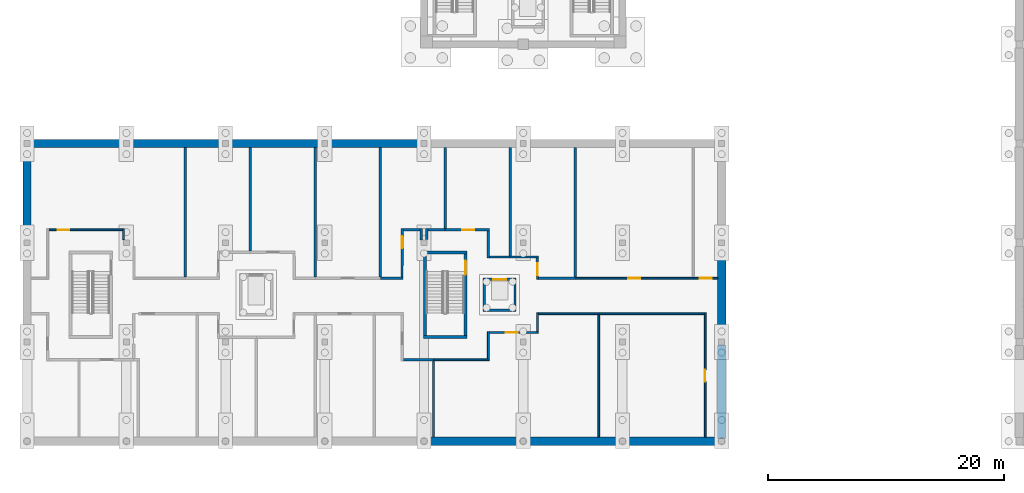
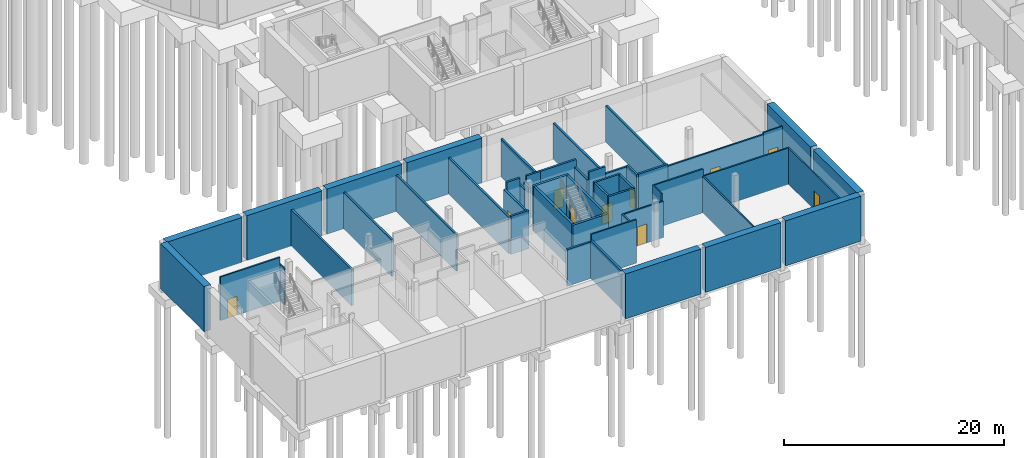
# One storey, part 10 of 33: 51 walls, 10 doors, 10 openings.
"""IFC4 building model written with IfcOpenShell, lengths in metres."""

from ifc_helpers import new_model, si_unit, direction, frame, frame_2d, origin, place, context, subcontext, project, spatial, rectangle, extrude, material, layer, layer_set, type_object, element, fill, save


model = new_model("IFC4")

# Units and contexts
model_context = context("Model", 3, precision=1e-05, world=origin(), true_north=direction((0.0, 1.0)))
body_context = subcontext(model_context, "Body", "Model", "MODEL_VIEW")
ifc_project = project(units=[si_unit("LENGTHUNIT", "METRE"), si_unit("AREAUNIT", "SQUARE_METRE"), si_unit("VOLUMEUNIT", "CUBIC_METRE"), si_unit("PLANEANGLEUNIT", "RADIAN"), si_unit("MASSUNIT", "GRAM", prefix="KILO")], contexts=[model_context])

# Site, building, storey
site_placement = place(None, origin())
site = spatial("IfcSite", under=ifc_project, at=site_placement, CompositionType="ELEMENT")
building_placement = place(site_placement, origin())
building = spatial("IfcBuilding", under=site, at=building_placement, Name="Larchfold Concert Hall", CompositionType="ELEMENT")
storey_placement = place(building_placement, frame((0.0, 0.0, -5.0)))
storey = spatial("IfcBuildingStorey", under=building, at=storey_placement, Name="B1", CompositionType="ELEMENT", Elevation=-5.0)

# Walls
ifc_material_1 = material(Name="Plasterboard partition on steel studs", Category="steel")
ifc_layer_1 = layer(ifc_material_1, 0.199951171875)
ifc_layer_set_1 = layer_set([ifc_layer_1], Name="Plasterboard partition on steel studs")
wall_type_1 = type_object("IfcWallType", Name="Acoustic partition 200", PredefinedType="PARTITIONING", material=ifc_layer_set_1)
wall_1_placement = place(storey_placement, frame((35.0, 7.39990234375, 0.0), z_axis=(0.0, 0.0, 1.0), x_axis=(0.0, -1.0, 0.0)))
element("IfcWall", 1, at=wall_1_placement, inside=storey, type_object=wall_type_1, Name="Partition IW0089", PredefinedType="PARTITIONING", context=body_context, shape_type="SweptSolid", body=[
    extrude(rectangle(XDim=6.449951171875, YDim=0.199951171875, at=frame_2d((3.22509765625, 0.0))), origin(), (0.0, 0.0, 1.0), 4.239990234375),
])
wall_2_placement = place(storey_placement, frame((32.449951171875, 7.5, 0.0), z_axis=(0.0, 0.0, 1.0), x_axis=(1.0, 0.0, 0.0)))
element("IfcWall", 2, at=wall_2_placement, inside=storey, type_object=wall_type_1, Name="Partition IW0092", PredefinedType="PARTITIONING", context=body_context, shape_type="SweptSolid", body=[
    extrude(rectangle(XDim=2.550048828125, YDim=0.199951171875, at=frame_2d((1.27490234375, 0.0))), origin(), (0.0, 0.0, 1.0), 4.0400390625),
])
wall_3_placement = place(storey_placement, frame((41.47998046875, 16.199951171875, 0.0), z_axis=(0.0, 0.0, 1.0), x_axis=(0.999999918507, -0.000403714137, 0.0)))
element("IfcWall", 3, at=wall_3_placement, inside=storey, type_object=wall_type_1, Name="Partition IW0122", PredefinedType="PARTITIONING", context=body_context, shape_type="SweptSolid", body=[
    extrude(rectangle(XDim=2.4189453125, YDim=0.199951171875, at=frame_2d((1.20947265625, 0.0))), origin(), (0.0, 0.0, 1.0), 4.0400390625),
])

# Wall, opening, door
wall_4_placement = place(storey_placement, frame((43.799560546875, 16.09912109375, 0.0), z_axis=(0.0, 0.0, 1.0), x_axis=(0.005560744079, -0.999984538943, 0.0)))
wall_4 = element("IfcWall", 4, at=wall_4_placement, inside=storey, type_object=wall_type_1, Name="Partition IW0123", PredefinedType="PARTITIONING", context=body_context, shape_type="SweptSolid", body=[
    extrude(rectangle(XDim=1.800048828125, YDim=0.199951171875, at=frame_2d((0.89990234375, 0.0))), origin(), (0.0, 0.0, 1.0), 4.239990234375),
])
opening_1_placement = place(wall_4_placement, frame((0.438720703125, 0.0, 0.0)))
opening_1 = element("IfcOpeningElement", 5, at=opening_1_placement, cuts=wall_4, Name="Opening D-B1-140", PredefinedType="OPENING", context=body_context, shape_type="SweptSolid", body=[
    extrude(rectangle(XDim=1.0, YDim=2.10009765625, at=frame_2d((0.5, 1.050048828125))), frame((0.0, 0.10986328125, 0.0), z_axis=(0.0, -1.0, 0.0), x_axis=(1.0, 0.0, 0.0)), (0.0, 0.0, 1.0), 0.219970703125),
])
ifc_material_2 = material(Name="Timber door leaf", Category="wood")
door_type_1 = type_object("IfcDoorType", Name="Practice and studio door, acoustic 1000 x 2100 FD30S", OperationType="SINGLE_SWING_LEFT", PredefinedType="DOOR", material=ifc_material_2)
door_1_placement = place(opening_1_placement, origin())
door_1 = element("IfcDoor", 6, at=door_1_placement, inside=storey, type_object=door_type_1, Name="Door D-B1-140", OperationType="SINGLE_SWING_LEFT", OverallHeight=2.10009765625, OverallWidth=1.0, PredefinedType="DOOR", context=body_context, shape_type="SweptSolid", body=[
    extrude(rectangle(XDim=1.0, YDim=2.10009765625, at=frame_2d((0.5, 1.050048828125))), frame((0.0, 0.02490234375, 0.0), z_axis=(0.0, -1.0, 0.0), x_axis=(1.0, 0.0, 0.0)), (0.0, 0.0, 1.0), 0.050048828125),
])
fill(opening_1, door_1)

# Wall
wall_5_placement = place(storey_placement, frame((43.908935546875, 14.39892578125, 0.0), z_axis=(0.0, 0.0, 1.0), x_axis=(1.0, 0.0, 0.0)))
element("IfcWall", 7, at=wall_5_placement, inside=storey, type_object=wall_type_1, Name="Partition IW0124", PredefinedType="PARTITIONING", context=body_context, shape_type="SweptSolid", body=[
    extrude(rectangle(XDim=3.111083984375, YDim=0.199951171875, at=frame_2d((1.5556640625, 0.0))), origin(), (0.0, 0.0, 1.0), 4.239990234375),
])

# Wall, opening, door
wall_6_placement = place(storey_placement, frame((35.97998046875, 18.4990234375, 0.0), z_axis=(0.0, 0.0, 1.0), x_axis=(1.0, 0.0, 0.0)))
wall_6 = element("IfcWall", 8, at=wall_6_placement, inside=storey, type_object=wall_type_1, Name="Partition IW0126", PredefinedType="PARTITIONING", context=body_context, shape_type="SweptSolid", body=[
    extrude(rectangle(XDim=3.76904296875, YDim=0.199951171875, at=frame_2d((1.884521484375, 0.0))), origin(), (0.0, 0.0, 1.0), 4.840087890625),
])
opening_2_placement = place(wall_6_placement, frame((1.455810546875, 0.0, 0.0)))
opening_2 = element("IfcOpeningElement", 9, at=opening_2_placement, cuts=wall_6, Name="Opening D-B1-142", PredefinedType="OPENING", context=body_context, shape_type="SweptSolid", body=[
    extrude(rectangle(XDim=1.0, YDim=2.10009765625, at=frame_2d((0.5, 1.050048828125))), frame((0.0, 0.10986328125, 0.0), z_axis=(0.0, -1.0, 0.0), x_axis=(1.0, 0.0, 0.0)), (0.0, 0.0, 1.0), 0.219970703125),
])
door_2_placement = place(opening_2_placement, origin())
door_2 = element("IfcDoor", 10, at=door_2_placement, inside=storey, type_object=door_type_1, Name="Door D-B1-142", OperationType="SINGLE_SWING_RIGHT", OverallHeight=2.10009765625, OverallWidth=1.0, PredefinedType="DOOR", context=body_context, shape_type="SweptSolid", body=[
    extrude(rectangle(XDim=1.0, YDim=2.10009765625, at=frame_2d((0.5, 1.050048828125))), frame((0.0, 0.02490234375, 0.0), z_axis=(0.0, -1.0, 0.0), x_axis=(1.0, 0.0, 0.0)), (0.0, 0.0, 1.0), 0.050048828125),
])
fill(opening_2, door_2)

# Walls
wall_7_placement = place(storey_placement, frame((39.649169921875, 18.39892578125, 0.0), z_axis=(0.0, 0.0, 1.0), x_axis=(0.001699955045, -0.999998555075, 0.0)))
element("IfcWall", 11, at=wall_7_placement, inside=storey, type_object=wall_type_1, Name="Partition IW0127", PredefinedType="PARTITIONING", context=body_context, shape_type="SweptSolid", body=[
    extrude(rectangle(XDim=2.2978515625, YDim=0.199951171875, at=frame_2d((1.14892578125, 0.0))), origin(), (0.0, 0.0, 1.0), 4.0400390625),
])
wall_8_placement = place(storey_placement, frame((39.7529296875, 16.200927734375, 0.0), z_axis=(0.0, 0.0, 1.0), x_axis=(0.999999840133, -0.000565450857, 0.0)))
element("IfcWall", 12, at=wall_8_placement, inside=storey, type_object=wall_type_1, Name="Partition IW0128", PredefinedType="PARTITIONING", context=body_context, shape_type="SweptSolid", body=[
    extrude(rectangle(XDim=1.72705078125, YDim=0.199951171875, at=frame_2d((0.863525390625, 0.0))), origin(), (0.0, 0.0, 1.0), 4.840087890625),
])
wall_9_placement = place(storey_placement, frame((30.52001953125, 14.39892578125, 0.0), z_axis=(0.0, 0.0, 1.0), x_axis=(1.0, 0.0, 0.0)))
element("IfcWall", 13, at=wall_9_placement, inside=storey, type_object=wall_type_1, Name="Partition IW0132", PredefinedType="PARTITIONING", context=body_context, shape_type="SweptSolid", body=[
    extrude(rectangle(XDim=1.9208984375, YDim=0.199951171875, at=frame_2d((0.96044921875, 0.0))), origin(), (0.0, 0.0, 1.0), 4.239990234375),
])

# Wall, opening, door
wall_10_placement = place(storey_placement, frame((32.34130859375, 14.4990234375, 0.0), z_axis=(0.0, 0.0, 1.0), x_axis=(0.002441340825, 0.999997019923, 0.0)))
wall_10 = element("IfcWall", 14, at=wall_10_placement, inside=storey, type_object=wall_type_1, Name="Partition IW0133", PredefinedType="PARTITIONING", context=body_context, shape_type="SweptSolid", body=[
    extrude(rectangle(XDim=4.10009765625, YDim=0.199951171875, at=frame_2d((2.050048828125, 0.0))), origin(), (0.0, 0.0, 1.0), 4.0400390625),
])
opening_3_placement = place(wall_10_placement, frame((2.452392578125, 0.0, 0.0)))
opening_3 = element("IfcOpeningElement", 15, at=opening_3_placement, cuts=wall_10, Name="Opening D-B1-144", PredefinedType="OPENING", context=body_context, shape_type="SweptSolid", body=[
    extrude(rectangle(XDim=1.0, YDim=2.10009765625, at=frame_2d((0.5, 1.050048828125))), frame((0.0, 0.10986328125, 0.0), z_axis=(0.0, -1.0, 0.0), x_axis=(1.0, 0.0, 0.0)), (0.0, 0.0, 1.0), 0.219970703125),
])
door_3_placement = place(opening_3_placement, origin())
door_3 = element("IfcDoor", 16, at=door_3_placement, inside=storey, type_object=door_type_1, Name="Door D-B1-144", OperationType="SINGLE_SWING_LEFT", OverallHeight=2.10009765625, OverallWidth=1.0, PredefinedType="DOOR", context=body_context, shape_type="SweptSolid", body=[
    extrude(rectangle(XDim=1.0, YDim=2.10009765625, at=frame_2d((0.5, 1.050048828125))), frame((0.0, 0.02490234375, 0.0), z_axis=(0.0, -1.0, 0.0), x_axis=(1.0, 0.0, 0.0)), (0.0, 0.0, 1.0), 0.050048828125),
])
fill(opening_3, door_3)

# Walls
wall_11_placement = place(storey_placement, frame((32.450927734375, 18.4990234375, 0.0), z_axis=(0.0, 0.0, 1.0), x_axis=(1.0, 0.0, 0.0)))
element("IfcWall", 17, at=wall_11_placement, inside=storey, type_object=wall_type_1, Name="Partition IW0134", PredefinedType="PARTITIONING", context=body_context, shape_type="SweptSolid", body=[
    extrude(rectangle(XDim=1.4091796875, YDim=0.199951171875, at=frame_2d((0.70458984375, 0.0))), origin(), (0.0, 0.0, 1.0), 4.840087890625),
])
wall_12_placement = place(storey_placement, frame((33.9599609375, 18.59912109375, 0.0), z_axis=(0.0, 0.0, 1.0), x_axis=(0.0, -1.0, 0.0)))
element("IfcWall", 18, at=wall_12_placement, inside=storey, type_object=wall_type_1, Name="Partition IW0135", PredefinedType="PARTITIONING", context=body_context, shape_type="SweptSolid", body=[
    extrude(rectangle(XDim=0.94921875, YDim=0.199951171875, at=frame_2d((0.474609375, 0.0))), origin(), (0.0, 0.0, 1.0), 4.0400390625),
])
wall_13_placement = place(storey_placement, frame((34.43798828125, 17.669921875, 0.0), z_axis=(0.0, 0.0, 1.0), x_axis=(0.002364680724, 0.999997204139, 0.0)))
element("IfcWall", 19, at=wall_13_placement, inside=storey, type_object=wall_type_1, Name="Partition IW0136", PredefinedType="PARTITIONING", context=body_context, shape_type="SweptSolid", body=[
    extrude(rectangle(XDim=0.92919921875, YDim=0.199951171875, at=frame_2d((0.464599609375, 0.0))), origin(), (0.0, 0.0, 1.0), 4.0400390625),
])
wall_14_placement = place(storey_placement, frame((34.5400390625, 18.4990234375, 0.0), z_axis=(0.0, 0.0, 1.0), x_axis=(1.0, 0.0, 0.0)))
element("IfcWall", 20, at=wall_14_placement, inside=storey, type_object=wall_type_1, Name="Partition IW0137", PredefinedType="PARTITIONING", context=body_context, shape_type="SweptSolid", body=[
    extrude(rectangle(XDim=1.43994140625, YDim=0.199951171875, at=frame_2d((0.719970703125, 0.0))), origin(), (0.0, 0.0, 1.0), 4.840087890625),
])
for number, where, z_axis, x_axis, name in (
    (21, (14.0, 25.449951171875, 0.0), (0.0, 0.0, 1.0), (0.0, -1.0, 0.0), "Partition IW0139"),
    (22, (25.0, 25.449951171875, 0.0), (0.0, 0.0, 1.0), (0.0, -1.0, 0.0), "Partition IW0140"),
):
    element("IfcWall", number, at=place(storey_placement, frame(where, z_axis=z_axis, x_axis=x_axis)), inside=storey, type_object=wall_type_1, Name=name, PredefinedType="PARTITIONING", context=body_context, shape_type="SweptSolid", body=[
        extrude(rectangle(XDim=10.949951171875, YDim=0.199951171875, at=frame_2d((5.47509765625, 0.0))), origin(), (0.0, 0.0, 1.0), 4.0400390625),
    ])
wall_15_placement = place(storey_placement, frame((19.5, 16.699951171875, 0.0), z_axis=(0.0, 0.0, 1.0), x_axis=(0.0, 1.0, 0.0)))
element("IfcWall", 23, at=wall_15_placement, inside=storey, type_object=wall_type_1, Name="Partition IW0141", PredefinedType="PARTITIONING", context=body_context, shape_type="SweptSolid", body=[
    extrude(rectangle(XDim=8.75, YDim=0.199951171875, at=frame_2d((4.375, 0.0))), origin(), (0.0, 0.0, 1.0), 4.0400390625),
])
for number, where, z_axis, x_axis, name in (
    (24, (30.5, 25.449951171875, 0.0), (0.0, 0.0, 1.0), (0.0, -1.0, 0.0), "Partition IW0142"),
    (25, (47.0, 25.449951171875, 0.0), (0.0, 0.0, 1.0), (0.0, -1.0, 0.0), "Partition IW0143"),
):
    element("IfcWall", number, at=place(storey_placement, frame(where, z_axis=z_axis, x_axis=x_axis)), inside=storey, type_object=wall_type_1, Name=name, PredefinedType="PARTITIONING", context=body_context, shape_type="SweptSolid", body=[
        extrude(rectangle(XDim=10.949951171875, YDim=0.199951171875, at=frame_2d((5.47509765625, 0.0))), origin(), (0.0, 0.0, 1.0), 4.0400390625),
    ])
wall_16_placement = place(storey_placement, frame((41.5, 16.300048828125, 0.0), z_axis=(0.0, 0.0, 1.0), x_axis=(0.0, 1.0, 0.0)))
element("IfcWall", 26, at=wall_16_placement, inside=storey, type_object=wall_type_1, Name="Partition IW0144", PredefinedType="PARTITIONING", context=body_context, shape_type="SweptSolid", body=[
    extrude(rectangle(XDim=9.14990234375, YDim=0.199951171875, at=frame_2d((4.574951171875, 0.0))), origin(), (0.0, 0.0, 1.0), 4.0400390625),
])
wall_17_placement = place(storey_placement, frame((36.0, 18.60009765625, 0.0), z_axis=(0.0, 0.0, 1.0), x_axis=(0.0, 1.0, 0.0)))
element("IfcWall", 27, at=wall_17_placement, inside=storey, type_object=wall_type_1, Name="Partition IW0146", PredefinedType="PARTITIONING", context=body_context, shape_type="SweptSolid", body=[
    extrude(rectangle(XDim=6.849853515625, YDim=0.199951171875, at=frame_2d((3.4248046875, 0.0))), origin(), (0.0, 0.0, 1.0), 4.239990234375),
])
ifc_material_3 = material(Name="Plasterboard partition on steel studs", Category="steel")
ifc_layer_2 = layer(ifc_material_3, 0.14990234375)
ifc_layer_set_2 = layer_set([ifc_layer_2], Name="Plasterboard partition on steel studs")
wall_type_2 = type_object("IfcWallType", Name="Shaft and plant partition 150 EI 120", PredefinedType="PARTITIONING", material=ifc_layer_set_2)
wall_18_placement = place(storey_placement, frame((49.0, 11.324951171875, 0.0), z_axis=(0.0, 0.0, 1.0), x_axis=(0.0, -1.0, 0.0)))
element("IfcWall", 28, at=wall_18_placement, inside=storey, type_object=wall_type_2, Name="Partition IW0104", PredefinedType="PARTITIONING", context=body_context, shape_type="SweptSolid", body=[
    extrude(rectangle(XDim=10.375, YDim=0.14990234375, at=frame_2d((5.1875, 0.0))), origin(), (0.0, 0.0, 1.0), 4.0400390625),
])
wall_19_placement = place(storey_placement, frame((35.0, 7.5, 0.0), z_axis=(0.0, 0.0, 1.0), x_axis=(1.0, 0.0, 0.0)))
element("IfcWall", 29, at=wall_19_placement, inside=storey, type_object=wall_type_2, Name="Partition IW0105", PredefinedType="PARTITIONING", context=body_context, shape_type="SweptSolid", body=[
    extrude(rectangle(XDim=4.72509765625, YDim=0.14990234375, at=frame_2d((2.362548828125, 0.0))), origin(), (0.0, 0.0, 1.0), 4.840087890625),
])
wall_20_placement = place(storey_placement, frame((39.64990234375, 7.574951171875, 0.0), z_axis=(0.0, 0.0, 1.0), x_axis=(0.0, 1.0, 0.0)))
element("IfcWall", 30, at=wall_20_placement, inside=storey, type_object=wall_type_2, Name="Partition IW0106", PredefinedType="PARTITIONING", context=body_context, shape_type="SweptSolid", body=[
    extrude(rectangle(XDim=2.300048828125, YDim=0.14990234375, at=frame_2d((1.14990234375, 0.0))), origin(), (0.0, 0.0, 1.0), 4.0400390625),
])

# Wall, opening, door
wall_21_placement = place(storey_placement, frame((39.72509765625, 9.800048828125, 0.0), z_axis=(0.0, 0.0, 1.0), x_axis=(1.0, 0.0, 0.0)))
wall_21 = element("IfcWall", 31, at=wall_21_placement, inside=storey, type_object=wall_type_2, Name="Partition IW0107", PredefinedType="PARTITIONING", context=body_context, shape_type="SweptSolid", body=[
    extrude(rectangle(XDim=4.14990234375, YDim=0.14990234375, at=frame_2d((2.074951171875, 0.0))), origin(), (0.0, 0.0, 1.0), 4.0400390625),
])
opening_4_placement = place(wall_21_placement, frame((1.415283203125, 0.0, 0.0)))
opening_4 = element("IfcOpeningElement", 32, at=opening_4_placement, cuts=wall_21, Name="Opening D-B1-135", PredefinedType="OPENING", context=body_context, shape_type="SweptSolid", body=[
    extrude(rectangle(XDim=1.0, YDim=2.10009765625, at=frame_2d((0.5, 1.050048828125))), frame((0.0, 0.0849609375, 0.0), z_axis=(0.0, -1.0, 0.0), x_axis=(1.0, 0.0, 0.0)), (0.0, 0.0, 1.0), 0.169921875),
])
ifc_material_4 = material(Name="Timber door leaf", Category="wood")
door_type_2 = type_object("IfcDoorType", Name="Store door 1000 x 2100 FD60", OperationType="SINGLE_SWING_LEFT", PredefinedType="DOOR", material=ifc_material_4)
door_4_placement = place(opening_4_placement, origin())
door_4 = element("IfcDoor", 33, at=door_4_placement, inside=storey, type_object=door_type_2, Name="Door D-B1-135", OperationType="SINGLE_SWING_LEFT", OverallHeight=2.10009765625, OverallWidth=1.0, PredefinedType="DOOR", context=body_context, shape_type="SweptSolid", body=[
    extrude(rectangle(XDim=1.0, YDim=2.10009765625, at=frame_2d((0.5, 1.050048828125))), frame((0.0, 0.02490234375, 0.0), z_axis=(0.0, -1.0, 0.0), x_axis=(1.0, 0.0, 0.0)), (0.0, 0.0, 1.0), 0.050048828125),
])
fill(opening_4, door_4)

# Walls
wall_22_placement = place(storey_placement, frame((43.800048828125, 9.875, 0.0), z_axis=(0.0, 0.0, 1.0), x_axis=(0.0, 1.0, 0.0)))
element("IfcWall", 34, at=wall_22_placement, inside=storey, type_object=wall_type_2, Name="Partition IW0108", PredefinedType="PARTITIONING", context=body_context, shape_type="SweptSolid", body=[
    extrude(rectangle(XDim=1.60009765625, YDim=0.14990234375, at=frame_2d((0.800048828125, 0.0))), origin(), (0.0, 0.0, 1.0), 4.840087890625),
])
wall_23_placement = place(storey_placement, frame((43.875, 11.39990234375, 0.0), z_axis=(0.0, 0.0, 1.0), x_axis=(1.0, 0.0, 0.0)))
element("IfcWall", 35, at=wall_23_placement, inside=storey, type_object=wall_type_2, Name="Partition IW0109", PredefinedType="PARTITIONING", context=body_context, shape_type="SweptSolid", body=[
    extrude(rectangle(XDim=5.125, YDim=0.14990234375, at=frame_2d((2.5625, 0.0))), origin(), (0.0, 0.0, 1.0), 4.840087890625),
])

# Wall, opening, door
wall_24_placement = place(storey_placement, frame((58.0, 11.47509765625, 0.0), z_axis=(0.0, 0.0, 1.0), x_axis=(0.0, -1.0, 0.0)))
wall_24 = element("IfcWall", 36, at=wall_24_placement, inside=storey, type_object=wall_type_2, Name="Partition IW0110", PredefinedType="PARTITIONING", context=body_context, shape_type="SweptSolid", body=[
    extrude(rectangle(XDim=10.525146484375, YDim=0.14990234375, at=frame_2d((5.2626953125, 0.0))), origin(), (0.0, 0.0, 1.0), 4.0400390625),
])
opening_5_placement = place(wall_24_placement, frame((4.8349609375, 0.0, 0.0)))
opening_5 = element("IfcOpeningElement", 37, at=opening_5_placement, cuts=wall_24, Name="Opening D-B1-136", PredefinedType="OPENING", context=body_context, shape_type="SweptSolid", body=[
    extrude(rectangle(XDim=1.0, YDim=2.10009765625, at=frame_2d((0.5, 1.050048828125))), frame((0.0, 0.0849609375, 0.0), z_axis=(0.0, -1.0, 0.0), x_axis=(1.0, 0.0, 0.0)), (0.0, 0.0, 1.0), 0.169921875),
])
ifc_material_5 = material(Name="Timber door leaf", Category="wood")
door_type_3 = type_object("IfcDoorType", Name="Plant room door 1000 x 2100 FD60", OperationType="SINGLE_SWING_LEFT", PredefinedType="DOOR", material=ifc_material_5)
door_5_placement = place(opening_5_placement, origin())
door_5 = element("IfcDoor", 38, at=door_5_placement, inside=storey, type_object=door_type_3, Name="Door D-B1-136", OperationType="SINGLE_SWING_LEFT", OverallHeight=2.10009765625, OverallWidth=1.0, PredefinedType="DOOR", context=body_context, shape_type="SweptSolid", body=[
    extrude(rectangle(XDim=1.0, YDim=2.10009765625, at=frame_2d((0.5, 1.050048828125))), frame((0.0, 0.02490234375, 0.0), z_axis=(0.0, -1.0, 0.0), x_axis=(1.0, 0.0, 0.0)), (0.0, 0.0, 1.0), 0.050048828125),
])
fill(opening_5, door_5)

# Wall
wall_25_placement = place(storey_placement, frame((49.0, 11.39990234375, 0.0), z_axis=(0.0, 0.0, 1.0), x_axis=(1.0, 0.0, 0.0)))
element("IfcWall", 39, at=wall_25_placement, inside=storey, type_object=wall_type_2, Name="Partition IW0111", PredefinedType="PARTITIONING", context=body_context, shape_type="SweptSolid", body=[
    extrude(rectangle(XDim=8.925048828125, YDim=0.14990234375, at=frame_2d((4.46240234375, 0.0))), origin(), (0.0, 0.0, 1.0), 4.0400390625),
])

# Wall, opening, door
wall_26_placement = place(storey_placement, frame((2.426025390625, 18.4990234375, 0.0), z_axis=(0.0, 0.0, 1.0), x_axis=(1.0, 0.0, 0.0)))
wall_26 = element("IfcWall", 40, at=wall_26_placement, inside=storey, type_object=wall_type_2, Name="Partition IW0113", PredefinedType="PARTITIONING", context=body_context, shape_type="SweptSolid", body=[
    extrude(rectangle(XDim=6.259033203125, YDim=0.14990234375, at=frame_2d((3.12939453125, 0.0))), origin(), (0.0, 0.0, 1.0), 4.840087890625),
])
opening_6_placement = place(wall_26_placement, frame((0.75, 0.0, 0.0)))
opening_6 = element("IfcOpeningElement", 41, at=opening_6_placement, cuts=wall_26, Name="Opening D-B1-137", PredefinedType="OPENING", context=body_context, shape_type="SweptSolid", body=[
    extrude(rectangle(XDim=1.0, YDim=2.10009765625, at=frame_2d((0.5, 1.050048828125))), frame((0.0, 0.0849609375, 0.0), z_axis=(0.0, -1.0, 0.0), x_axis=(1.0, 0.0, 0.0)), (0.0, 0.0, 1.0), 0.169921875),
])
door_6_placement = place(opening_6_placement, origin())
door_6 = element("IfcDoor", 42, at=door_6_placement, inside=storey, type_object=door_type_3, Name="Door D-B1-137", OperationType="SINGLE_SWING_RIGHT", OverallHeight=2.10009765625, OverallWidth=1.0, PredefinedType="DOOR", context=body_context, shape_type="SweptSolid", body=[
    extrude(rectangle(XDim=1.0, YDim=2.10009765625, at=frame_2d((0.5, 1.050048828125))), frame((0.0, 0.02490234375, 0.0), z_axis=(0.0, -1.0, 0.0), x_axis=(1.0, 0.0, 0.0)), (0.0, 0.0, 1.0), 0.050048828125),
])
fill(opening_6, door_6)

# Wall
wall_27_placement = place(storey_placement, frame((8.759765625, 18.573974609375, 0.0), z_axis=(0.0, 0.0, 1.0), x_axis=(0.003510645393, -0.999993837665, 0.0)))
element("IfcWall", 43, at=wall_27_placement, inside=storey, type_object=wall_type_2, Name="Partition IW0114", PredefinedType="PARTITIONING", context=body_context, shape_type="SweptSolid", body=[
    extrude(rectangle(XDim=0.904052734375, YDim=0.14990234375, at=frame_2d((0.4521484375, 0.0))), origin(), (0.0, 0.0, 1.0), 4.0400390625),
])

# Wall, opening, door
wall_28_placement = place(storey_placement, frame((47.02001953125, 14.39892578125, 0.0), z_axis=(0.0, 0.0, 1.0), x_axis=(0.999999995232, 9.765625e-05, 0.0)))
wall_28 = element("IfcWall", 44, at=wall_28_placement, inside=storey, type_object=wall_type_2, Name="Partition IW0125", PredefinedType="PARTITIONING", context=body_context, shape_type="SweptSolid", body=[
    extrude(rectangle(XDim=10.0, YDim=0.14990234375, at=frame_2d((5.0, 0.0))), origin(), (0.0, 0.0, 1.0), 4.0400390625),
])
opening_7_placement = place(wall_28_placement, frame((4.470458984375, 0.0, 0.0)))
opening_7 = element("IfcOpeningElement", 45, at=opening_7_placement, cuts=wall_28, Name="Opening D-B1-141", PredefinedType="OPENING", context=body_context, shape_type="SweptSolid", body=[
    extrude(rectangle(XDim=1.0, YDim=2.10009765625, at=frame_2d((0.5, 1.050048828125))), frame((0.0, 0.0849609375, 0.0), z_axis=(0.0, -1.0, 0.0), x_axis=(1.0, 0.0, 0.0)), (0.0, 0.0, 1.0), 0.169921875),
])
door_7_placement = place(opening_7_placement, origin())
door_7 = element("IfcDoor", 46, at=door_7_placement, inside=storey, type_object=door_type_2, Name="Door D-B1-141", OperationType="SINGLE_SWING_RIGHT", OverallHeight=2.10009765625, OverallWidth=1.0, PredefinedType="DOOR", context=body_context, shape_type="SweptSolid", body=[
    extrude(rectangle(XDim=1.0, YDim=2.10009765625, at=frame_2d((0.5, 1.050048828125))), frame((0.0, 0.02490234375, 0.0), z_axis=(0.0, -1.0, 0.0), x_axis=(1.0, 0.0, 0.0)), (0.0, 0.0, 1.0), 0.050048828125),
])
fill(opening_7, door_7)

wall_29_placement = place(storey_placement, frame((57.02001953125, 14.39990234375, 0.0), z_axis=(0.0, 0.0, 1.0), x_axis=(1.0, 0.0, 0.0)))
wall_29 = element("IfcWall", 47, at=wall_29_placement, inside=storey, type_object=wall_type_2, Name="Partition IW0138", PredefinedType="PARTITIONING", context=body_context, shape_type="SweptSolid", body=[
    extrude(rectangle(XDim=2.030029296875, YDim=0.14990234375, at=frame_2d((1.01513671875, 0.0))), origin(), (0.0, 0.0, 1.0), 4.239990234375),
])
opening_8_placement = place(wall_29_placement, frame((0.530029296875, 0.0, 0.0)))
opening_8 = element("IfcOpeningElement", 48, at=opening_8_placement, cuts=wall_29, Name="Opening D-B1-145", PredefinedType="OPENING", context=body_context, shape_type="SweptSolid", body=[
    extrude(rectangle(XDim=1.0, YDim=2.10009765625, at=frame_2d((0.5, 1.050048828125))), frame((0.0, 0.0849609375, 0.0), z_axis=(0.0, -1.0, 0.0), x_axis=(1.0, 0.0, 0.0)), (0.0, 0.0, 1.0), 0.169921875),
])
door_8_placement = place(opening_8_placement, origin())
door_8 = element("IfcDoor", 49, at=door_8_placement, inside=storey, type_object=door_type_2, Name="Door D-B1-145", OperationType="SINGLE_SWING_RIGHT", OverallHeight=2.10009765625, OverallWidth=1.0, PredefinedType="DOOR", context=body_context, shape_type="SweptSolid", body=[
    extrude(rectangle(XDim=1.0, YDim=2.10009765625, at=frame_2d((0.5, 1.050048828125))), frame((0.0, 0.02490234375, 0.0), z_axis=(0.0, -1.0, 0.0), x_axis=(1.0, 0.0, 0.0)), (0.0, 0.0, 1.0), 0.050048828125),
])
fill(opening_8, door_8)

# Wall
ifc_material_6 = material(Name="Concrete C40/50", Category="concrete")
ifc_layer_3 = layer(ifc_material_6, 0.199951171875)
ifc_layer_set_3 = layer_set([ifc_layer_3], Name="Concrete C40/50")
wall_type_3 = type_object("IfcWallType", Name="Wall RC 200 lift shaft", PredefinedType="SOLIDWALL", material=ifc_layer_set_3)
wall_30_placement = place(storey_placement, frame((39.199951171875, 11.7001953125, -1.39990234375), z_axis=(0.0, 0.0, 1.0), x_axis=(1.0, 0.0, 0.0)))
element("IfcWall", 50, at=wall_30_placement, inside=storey, type_object=wall_type_3, Name="Wall W0196", PredefinedType="SOLIDWALL", context=body_context, shape_type="SweptSolid", body=[
    extrude(rectangle(XDim=2.800048828125, YDim=0.199951171875, at=frame_2d((1.39990234375, 0.0))), origin(), (0.0, 0.0, 1.0), 6.39990234375),
])

# Wall, opening, door
wall_31_placement = place(storey_placement, frame((39.199951171875, 14.2998046875, -1.39990234375), z_axis=(0.0, 0.0, 1.0), x_axis=(1.0, 0.0, 0.0)))
wall_31 = element("IfcWall", 51, at=wall_31_placement, inside=storey, type_object=wall_type_3, Name="Wall W0197", PredefinedType="SOLIDWALL", context=body_context, shape_type="SweptSolid", body=[
    extrude(rectangle(XDim=2.800048828125, YDim=0.199951171875, at=frame_2d((1.39990234375, 0.0))), origin(), (0.0, 0.0, 1.0), 6.39990234375),
])
opening_9_placement = place(wall_31_placement, frame((0.85009765625, 0.0, 1.39990234375)))
opening_9 = element("IfcOpeningElement", 52, at=opening_9_placement, cuts=wall_31, Name="Opening LD-LF11", PredefinedType="OPENING", context=body_context, shape_type="SweptSolid", body=[
    extrude(rectangle(XDim=1.10009765625, YDim=2.10009765625, at=frame_2d((0.550048828125, 1.050048828125))), frame((0.0, 0.10986328125, 0.0), z_axis=(0.0, -1.0, 0.0), x_axis=(1.0, 0.0, 0.0)), (0.0, 0.0, 1.0), 0.219970703125),
])
ifc_material_7 = material(Name="Stainless steel sliding leaves", Category="steel")
door_type_4 = type_object("IfcDoorType", Name="Lift landing door sliding 1100 x 2100", OperationType="SLIDING_TO_LEFT", PredefinedType="DOOR", material=ifc_material_7)
door_9_placement = place(opening_9_placement, origin())
door_9 = element("IfcDoor", 53, at=door_9_placement, inside=storey, type_object=door_type_4, Name="Lift landing door LF11", OperationType="SLIDING_TO_LEFT", OverallHeight=2.10009765625, OverallWidth=1.10009765625, PredefinedType="DOOR", context=body_context, shape_type="SweptSolid", body=[
    extrude(rectangle(XDim=1.10009765625, YDim=2.10009765625, at=frame_2d((0.550048828125, 1.050048828125))), frame((0.0, 0.02490234375, 0.0), z_axis=(0.0, -1.0, 0.0), x_axis=(1.0, 0.0, 0.0)), (0.0, 0.0, 1.0), 0.050048828125),
])
fill(opening_9, door_9)

# Walls
for number, where, z_axis, x_axis, name in (
    (54, (39.300048828125, 11.800048828125, -1.39990234375), (0.0, 0.0, 1.0), (0.0, 1.0, 0.0), "Wall W0198"),
    (55, (41.89990234375, 11.800048828125, -1.39990234375), (0.0, 0.0, 1.0), (0.0, 1.0, 0.0), "Wall W0199"),
):
    element("IfcWall", number, at=place(storey_placement, frame(where, z_axis=z_axis, x_axis=x_axis)), inside=storey, type_object=wall_type_3, Name=name, PredefinedType="SOLIDWALL", context=body_context, shape_type="SweptSolid", body=[
        extrude(rectangle(XDim=2.39990234375, YDim=0.199951171875, at=frame_2d((1.199951171875, 0.0))), origin(), (0.0, 0.0, 1.0), 6.39990234375),
    ])
ifc_material_8 = material(Name="Concrete C40/50", Category="concrete")
ifc_layer_4 = layer(ifc_material_8, 0.25)
ifc_layer_set_4 = layer_set([ifc_layer_4], Name="Concrete C40/50")
wall_type_4 = type_object("IfcWallType", Name="Wall RC 250 stair core", PredefinedType="SOLIDWALL", material=ifc_layer_set_4)
for number, where, z_axis, x_axis, name in (
    (56, (34.14990234375, 9.425048828125, 0.0), (0.0, 0.0, 1.0), (1.0, 0.0, 0.0), "Wall W0168"),
    (57, (34.14990234375, 16.574951171875, 0.0), (0.0, 0.0, 1.0), (1.0, 0.0, 0.0), "Wall W0169"),
):
    element("IfcWall", number, at=place(storey_placement, frame(where, z_axis=z_axis, x_axis=x_axis)), inside=storey, type_object=wall_type_4, Name=name, PredefinedType="SOLIDWALL", context=body_context, shape_type="SweptSolid", body=[
        extrude(rectangle(XDim=3.7001953125, YDim=0.25, at=frame_2d((1.85009765625, 0.0))), origin(), (0.0, 0.0, 1.0), 5.0),
    ])
wall_32_placement = place(storey_placement, frame((34.27490234375, 9.550048828125, 0.0), z_axis=(0.0, 0.0, 1.0), x_axis=(0.0, 1.0, 0.0)))
element("IfcWall", 58, at=wall_32_placement, inside=storey, type_object=wall_type_4, Name="Wall W0170", PredefinedType="SOLIDWALL", context=body_context, shape_type="SweptSolid", body=[
    extrude(rectangle(XDim=6.89990234375, YDim=0.25, at=frame_2d((3.449951171875, 0.0))), origin(), (0.0, 0.0, 1.0), 5.0),
])

# Wall, opening, door
wall_33_placement = place(storey_placement, frame((37.72509765625, 9.550048828125, 0.0), z_axis=(0.0, 0.0, 1.0), x_axis=(0.0, 1.0, 0.0)))
wall_33 = element("IfcWall", 59, at=wall_33_placement, inside=storey, type_object=wall_type_4, Name="Wall W0171", PredefinedType="SOLIDWALL", context=body_context, shape_type="SweptSolid", body=[
    extrude(rectangle(XDim=6.89990234375, YDim=0.25, at=frame_2d((3.449951171875, 0.0))), origin(), (0.0, 0.0, 1.0), 5.0),
])
opening_10_placement = place(wall_33_placement, frame((5.14990234375, 0.0, 0.0)))
opening_10 = element("IfcOpeningElement", 60, at=opening_10_placement, cuts=wall_33, Name="Opening D-B1-158", PredefinedType="OPENING", context=body_context, shape_type="SweptSolid", body=[
    extrude(rectangle(XDim=1.199951171875, YDim=2.10009765625, at=frame_2d((0.60009765625, 1.050048828125))), frame((0.0, 0.135009765625, 0.0), z_axis=(0.0, -1.0, 0.0), x_axis=(1.0, 0.0, 0.0)), (0.0, 0.0, 1.0), 0.27001953125),
])
ifc_material_9 = material(Name="Timber door leaf", Category="wood")
door_type_5 = type_object("IfcDoorType", Name="Stair enclosure door pair 1200 x 2100 FD60", OperationType="SINGLE_SWING_LEFT", PredefinedType="DOOR", material=ifc_material_9)
door_10_placement = place(opening_10_placement, origin())
door_10 = element("IfcDoor", 61, at=door_10_placement, inside=storey, type_object=door_type_5, Name="Door D-B1-158", OperationType="DOUBLE_DOOR_SINGLE_SWING", OverallHeight=2.10009765625, OverallWidth=1.199951171875, PredefinedType="DOOR", context=body_context, shape_type="SweptSolid", body=[
    extrude(rectangle(XDim=1.199951171875, YDim=2.10009765625, at=frame_2d((0.60009765625, 1.050048828125))), frame((0.0, 0.02490234375, 0.0), z_axis=(0.0, -1.0, 0.0), x_axis=(1.0, 0.0, 0.0)), (0.0, 0.0, 1.0), 0.050048828125),
])
fill(opening_10, door_10)

# Walls
ifc_material_10 = material(Name="Concrete C30/37", Category="concrete")
ifc_layer_5 = layer(ifc_material_10, 0.699951171875)
ifc_layer_set_5 = layer_set([ifc_layer_5], Name="Concrete C30/37")
wall_type_5 = type_object("IfcWallType", Name="Wall RC 700 retaining wall", PredefinedType="SOLIDWALL", material=ifc_layer_set_5)
wall_34_placement = place(storey_placement, frame((0.60009765625, 17.64990234375, 0.0), z_axis=(0.0, 0.0, 1.0), x_axis=(0.0, 1.0, 0.0)))
element("IfcWall", 62, at=wall_34_placement, inside=storey, type_object=wall_type_5, Name="Wall W0091", PredefinedType="SOLIDWALL", context=body_context, shape_type="SweptSolid", body=[
    extrude(rectangle(XDim=7.900146484375, YDim=0.699951171875, at=frame_2d((3.9501953125, 0.0))), origin(), (0.0, 0.0, 1.0), 5.0),
])
for number, where, z_axis, x_axis, name in (
    (63, (0.85009765625, 25.800048828125, 0.0), (0.0, 0.0, 1.0), (1.0, 0.0, 0.0), "Wall W0092"),
    (64, (9.25, 25.800048828125, 0.0), (0.0, 0.0, 1.0), (1.0, 0.0, 0.0), "Wall W0093"),
):
    element("IfcWall", number, at=place(storey_placement, frame(where, z_axis=z_axis, x_axis=x_axis)), inside=storey, type_object=wall_type_5, Name=name, PredefinedType="SOLIDWALL", context=body_context, shape_type="SweptSolid", body=[
        extrude(rectangle(XDim=7.89990234375, YDim=0.699951171875, at=frame_2d((3.949951171875, 0.0))), origin(), (0.0, 0.0, 1.0), 5.0),
    ])
wall_35_placement = place(storey_placement, frame((17.64990234375, 25.800048828125, 0.0), z_axis=(0.0, 0.0, 1.0), x_axis=(1.0, 0.0, 0.0)))
element("IfcWall", 65, at=wall_35_placement, inside=storey, type_object=wall_type_5, Name="Wall W0094", PredefinedType="SOLIDWALL", context=body_context, shape_type="SweptSolid", body=[
    extrude(rectangle(XDim=7.900146484375, YDim=0.699951171875, at=frame_2d((3.9501953125, 0.0))), origin(), (0.0, 0.0, 1.0), 5.0),
])
for number, where, z_axis, x_axis, name in (
    (66, (26.050048828125, 25.800048828125, 0.0), (0.0, 0.0, 1.0), (1.0, 0.0, 0.0), "Wall W0095"),
    (67, (59.39990234375, 17.14990234375, 0.0), (0.0, 0.0, 1.0), (0.0, -1.0, 0.0), "Wall W0100"),
    (68, (59.39990234375, 8.75, 0.0), (0.0, 0.0, 1.0), (0.0, -1.0, 0.0), "Wall W0101"),
    (69, (59.14990234375, 0.60009765625, 0.0), (0.0, 0.0, 1.0), (-1.0, 0.0, 0.0), "Wall W0102"),
    (70, (50.75, 0.60009765625, 0.0), (0.0, 0.0, 1.0), (-1.0, 0.0, 0.0), "Wall W0103"),
):
    element("IfcWall", number, at=place(storey_placement, frame(where, z_axis=z_axis, x_axis=x_axis)), inside=storey, type_object=wall_type_5, Name=name, PredefinedType="SOLIDWALL", context=body_context, shape_type="SweptSolid", body=[
        extrude(rectangle(XDim=7.89990234375, YDim=0.699951171875, at=frame_2d((3.949951171875, 0.0))), origin(), (0.0, 0.0, 1.0), 5.0),
    ])
wall_36_placement = place(storey_placement, frame((42.35009765625, 0.60009765625, 0.0), z_axis=(0.0, 0.0, 1.0), x_axis=(-1.0, 0.0, 0.0)))
element("IfcWall", 71, at=wall_36_placement, inside=storey, type_object=wall_type_5, Name="Wall W0104", PredefinedType="SOLIDWALL", context=body_context, shape_type="SweptSolid", body=[
    extrude(rectangle(XDim=7.900146484375, YDim=0.699951171875, at=frame_2d((3.9501953125, 0.0))), origin(), (0.0, 0.0, 1.0), 5.0),
])

save(model, "model.ifc")
